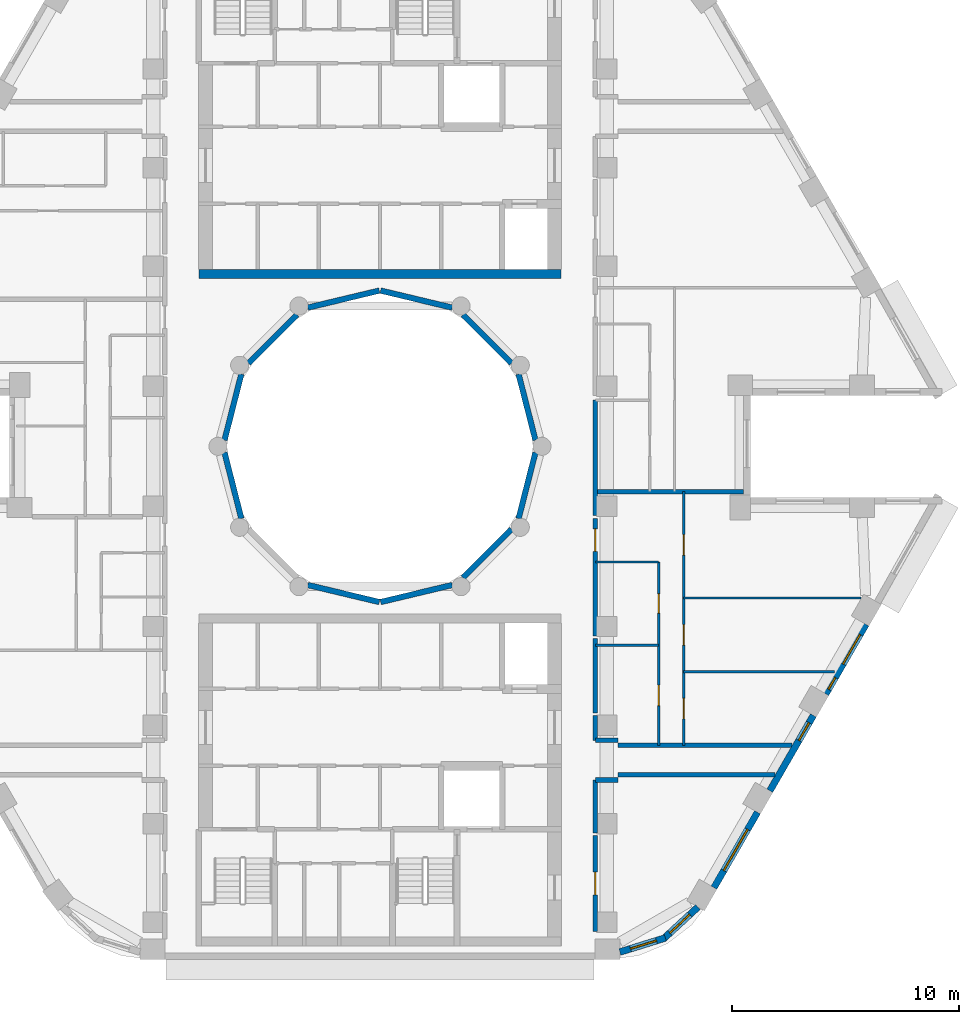
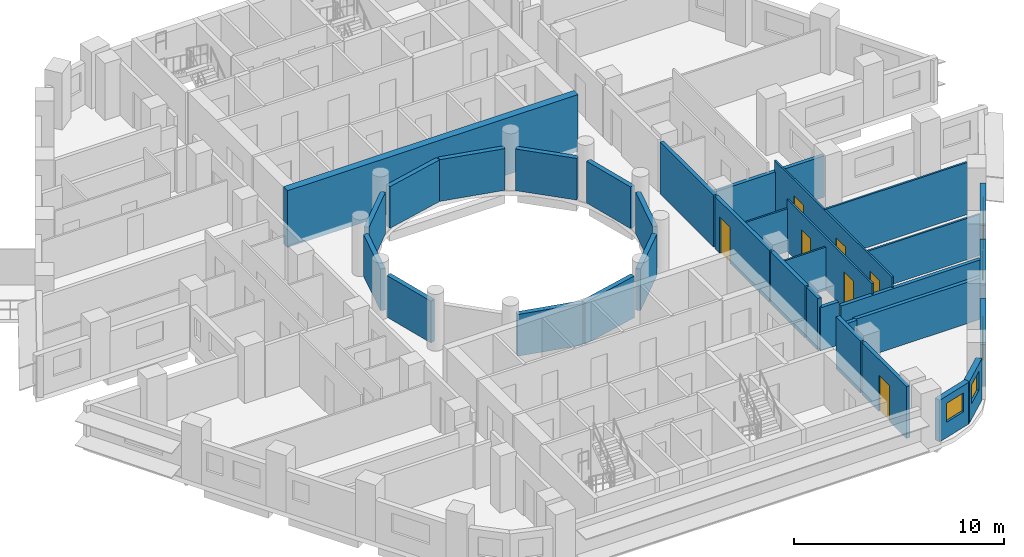
# One storey, part 5 of 13: 34 walls, 7 doors, 6 windows, 13 openings.
"""IFC4 building model written with IfcOpenShell, lengths in metres."""

from ifc_helpers import new_model, si_unit, direction, frame, frame_2d, origin, place, context, subcontext, project, spatial, rectangle, extrude, material, layer, layer_set, type_object, element, fill, save


model = new_model("IFC4")

# Units and contexts
model_context = context("Model", 3, precision=1e-05, world=origin(), true_north=direction((0.0, 1.0)))
body_context = subcontext(model_context, "Body", "Model", "MODEL_VIEW")
ifc_project = project(units=[si_unit("LENGTHUNIT", "METRE"), si_unit("AREAUNIT", "SQUARE_METRE"), si_unit("VOLUMEUNIT", "CUBIC_METRE"), si_unit("PLANEANGLEUNIT", "RADIAN"), si_unit("MASSUNIT", "GRAM", prefix="KILO")], contexts=[model_context])

# Site, building, storey
site_placement = place(None, origin())
site = spatial("IfcSite", under=ifc_project, at=site_placement, CompositionType="ELEMENT")
building_placement = place(site_placement, origin())
building = spatial("IfcBuilding", under=site, at=building_placement, Name="Nakaniwa Court", CompositionType="ELEMENT")
storey_placement = place(building_placement, frame((0.0, 0.0, 239.39990234375)))
storey = spatial("IfcBuildingStorey", under=building, at=storey_placement, Name="L62", CompositionType="ELEMENT", Elevation=239.39990234375)

# Wall, opening, door
ifc_material_1 = material(Name="Acoustic double stud partition")
ifc_layer_1 = layer(ifc_material_1, 0.199951171875)
ifc_layer_set_1 = layer_set([ifc_layer_1], Name="Acoustic double stud partition")
wall_type_1 = type_object("IfcWallType", Name="Acoustic double stud partition 200", PredefinedType="PARTITIONING", material=ifc_layer_set_1)
wall_1_placement = place(storey_placement, frame((89.5, 62.822998046875, 0.0), z_axis=(0.0, 0.0, 1.0), x_axis=(0.0, -1.0, 0.0)))
wall_1 = element("IfcWall", 1, at=wall_1_placement, inside=storey, type_object=wall_type_1, Name="Partition PW-061", PredefinedType="PARTITIONING", context=body_context, shape_type="SweptSolid", body=[
    extrude(rectangle(XDim=4.236083984375, YDim=0.199951171875, at=frame_2d((2.1181640625, 0.0))), origin(), (0.0, 0.0, 1.0), 3.025146484375),
])
opening_1_placement = place(wall_1_placement, frame((1.617919921875, 0.0, 0.0)))
opening_1 = element("IfcOpeningElement", 2, at=opening_1_placement, cuts=wall_1, Name="Opening D-02-01", PredefinedType="OPENING", context=body_context, shape_type="SweptSolid", body=[
    extrude(rectangle(XDim=1.0, YDim=2.10009765625, at=frame_2d((0.5, 1.050048828125))), frame((0.0, 0.10986328125, 0.0), z_axis=(0.0, -1.0, 0.0), x_axis=(1.0, 0.0, 0.0)), (0.0, 0.0, 1.0), 0.219970703125),
])
ifc_material_2 = material(Name="Solid core timber door set, black veneer", Category="wood")
door_type_1 = type_object("IfcDoorType", Name="Internal door 1000", OperationType="NOTDEFINED", PredefinedType="DOOR", material=ifc_material_2)
door_1_placement = place(opening_1_placement, origin())
door_1 = element("IfcDoor", 3, at=door_1_placement, inside=storey, type_object=door_type_1, Name="Door D-02-01 L62-033", OperationType="SINGLE_SWING_RIGHT", OverallHeight=2.10009765625, OverallWidth=1.0, PredefinedType="DOOR", context=body_context, shape_type="SweptSolid", body=[
    extrude(rectangle(XDim=1.0, YDim=2.10009765625, at=frame_2d((0.5, 1.050048828125))), frame((0.0, 0.02490234375, 0.0), z_axis=(0.0, -1.0, 0.0), x_axis=(1.0, 0.0, 0.0)), (0.0, 0.0, 1.0), 0.050048828125),
])
fill(opening_1, door_1)

# Walls
wall_2_placement = place(storey_placement, frame((89.5, 62.93701171875, 0.0), z_axis=(0.0, 0.0, 1.0), x_axis=(0.0, 1.0, 0.0)))
element("IfcWall", 4, at=wall_2_placement, inside=storey, type_object=wall_type_1, Name="Partition PW-062", PredefinedType="PARTITIONING", context=body_context, shape_type="SweptSolid", body=[
    extrude(rectangle(XDim=2.341064453125, YDim=0.199951171875, at=frame_2d((1.17041015625, 0.0))), origin(), (0.0, 0.0, 1.0), 3.025146484375),
])
wall_3_placement = place(storey_placement, frame((89.5, 67.02197265625, 0.0), z_axis=(0.0, 0.0, 1.0), x_axis=(0.0, 1.0, 0.0)))
element("IfcWall", 5, at=wall_3_placement, inside=storey, type_object=wall_type_1, Name="Partition PW-063", PredefinedType="PARTITIONING", context=body_context, shape_type="SweptSolid", body=[
    extrude(rectangle(XDim=1.091064453125, YDim=0.199951171875, at=frame_2d((0.54541015625, 0.0))), origin(), (0.0, 0.0, 1.0), 3.025146484375),
])
wall_4_placement = place(storey_placement, frame((89.5, 68.22705078125, 0.0), z_axis=(0.0, 0.0, 1.0), x_axis=(0.0, 1.0, 0.0)))
element("IfcWall", 6, at=wall_4_placement, inside=storey, type_object=wall_type_1, Name="Partition PW-064", PredefinedType="PARTITIONING", context=body_context, shape_type="SweptSolid", body=[
    extrude(rectangle(XDim=3.2958984375, YDim=0.199951171875, at=frame_2d((1.64794921875, 0.0))), origin(), (0.0, 0.0, 1.0), 3.025146484375),
])

# Wall, opening, door
wall_5_placement = place(storey_placement, frame((89.5, 76.822998046875, 0.0), z_axis=(0.0, 0.0, 1.0), x_axis=(0.0, -1.0, 0.0)))
wall_5 = element("IfcWall", 7, at=wall_5_placement, inside=storey, type_object=wall_type_1, Name="Partition PW-065", PredefinedType="PARTITIONING", context=body_context, shape_type="SweptSolid", body=[
    extrude(rectangle(XDim=5.18603515625, YDim=0.199951171875, at=frame_2d((2.593017578125, 0.0))), origin(), (0.0, 0.0, 1.0), 3.025146484375),
])
opening_2_placement = place(wall_5_placement, frame((0.462890625, 0.0, 0.0)))
opening_2 = element("IfcOpeningElement", 8, at=opening_2_placement, cuts=wall_5, Name="Opening D-01-01", PredefinedType="OPENING", context=body_context, shape_type="SweptSolid", body=[
    extrude(rectangle(XDim=1.0, YDim=2.10009765625, at=frame_2d((0.5, 1.050048828125))), frame((0.0, 0.10986328125, 0.0), z_axis=(0.0, -1.0, 0.0), x_axis=(1.0, 0.0, 0.0)), (0.0, 0.0, 1.0), 0.219970703125),
])
door_type_2 = type_object("IfcDoorType", Name="Flat entrance door 1000", OperationType="NOTDEFINED", PredefinedType="DOOR", material=ifc_material_2)
door_2_placement = place(opening_2_placement, origin())
door_2 = element("IfcDoor", 9, at=door_2_placement, inside=storey, type_object=door_type_2, Name="Door D-01-01 L62-034", OperationType="SINGLE_SWING_LEFT", OverallHeight=2.10009765625, OverallWidth=1.0, PredefinedType="DOOR", context=body_context, shape_type="SweptSolid", body=[
    extrude(rectangle(XDim=1.0, YDim=2.10009765625, at=frame_2d((0.5, 1.050048828125))), frame((0.0, 0.02490234375, 0.0), z_axis=(0.0, -1.0, 0.0), x_axis=(1.0, 0.0, 0.0)), (0.0, 0.0, 1.0), 0.050048828125),
])
fill(opening_2, door_2)

# Walls
wall_6_placement = place(storey_placement, frame((89.5, 76.93701171875, 0.0), z_axis=(0.0, 0.0, 1.0), x_axis=(0.0, 1.0, 0.0)))
element("IfcWall", 10, at=wall_6_placement, inside=storey, type_object=wall_type_1, Name="Partition PW-066", PredefinedType="PARTITIONING", context=body_context, shape_type="SweptSolid", body=[
    extrude(rectangle(XDim=5.102294921875, YDim=0.199951171875, at=frame_2d((2.55126953125, 0.0))), origin(), (0.0, 0.0, 1.0), 3.025146484375),
])
wall_7_placement = place(storey_placement, frame((90.5, 65.5, 0.0), z_axis=(0.0, 0.0, 1.0), x_axis=(1.0, 0.0, 0.0)))
element("IfcWall", 11, at=wall_7_placement, inside=storey, type_object=wall_type_1, Name="Partition PW-082", PredefinedType="PARTITIONING", context=body_context, shape_type="SweptSolid", body=[
    extrude(rectangle(XDim=6.93603515625, YDim=0.199951171875, at=frame_2d((3.468017578125, 0.0))), origin(), (0.0, 0.0, 1.0), 2.405029296875),
])
for number, where, z_axis, x_axis, name in (
    (12, (89.5, 65.27490234375, 0.0), (0.0, 0.0, 1.0), (1.0, 0.0, 0.0), "Partition PW-084"),
    (13, (89.5, 67.02490234375, 0.0), (0.0, 0.0, 1.0), (1.0, 0.0, 0.0), "Partition PW-086"),
):
    element("IfcWall", number, at=place(storey_placement, frame(where, z_axis=z_axis, x_axis=x_axis)), inside=storey, type_object=wall_type_1, Name=name, PredefinedType="PARTITIONING", context=body_context, shape_type="SweptSolid", body=[
        extrude(rectangle(XDim=1.0, YDim=0.199951171875, at=frame_2d((0.5, 0.0))), origin(), (0.0, 0.0, 1.0), 2.505126953125),
    ])
wall_8_placement = place(storey_placement, frame((90.5, 66.800048828125, 0.0), z_axis=(0.0, 0.0, 1.0), x_axis=(1.0, 0.0, 0.0)))
element("IfcWall", 14, at=wall_8_placement, inside=storey, type_object=wall_type_1, Name="Partition PW-088", PredefinedType="PARTITIONING", context=body_context, shape_type="SweptSolid", body=[
    extrude(rectangle(XDim=7.6865234375, YDim=0.199951171875, at=frame_2d((3.84326171875, 0.0))), origin(), (0.0, 0.0, 1.0), 2.405029296875),
])
wall_9_placement = place(storey_placement, frame((89.5, 78.0, 0.0), z_axis=(0.0, 0.0, 1.0), x_axis=(1.0, 0.0, 0.0)))
element("IfcWall", 15, at=wall_9_placement, inside=storey, type_object=wall_type_1, Name="Partition PW-105", PredefinedType="PARTITIONING", context=body_context, shape_type="SweptSolid", body=[
    extrude(rectangle(XDim=6.549560546875, YDim=0.199951171875, at=frame_2d((3.27490234375, 0.0))), origin(), (0.0, 0.0, 1.0), 2.405029296875),
])

# Wall, opening, window
ifc_material_3 = material(Name="Charcoal ceramic cladding")
ifc_layer_2 = layer(ifc_material_3, 0.02, Name="Ceramic cladding")
ifc_material_4 = material(Name="Ventilated air cavity")
ifc_layer_3 = layer(ifc_material_4, 0.04, ventilated=True, Name="Ventilated cavity")
ifc_material_5 = material(Name="Mineral wool insulation")
ifc_layer_4 = layer(ifc_material_5, 0.1, Name="Insulation")
ifc_material_6 = material(Name="Cement bonded sheathing board")
ifc_layer_5 = layer(ifc_material_6, 0.012, Name="Sheathing")
ifc_material_7 = material(Name="Cold-formed galvanised stud frame with mineral wool infill")
ifc_layer_6 = layer(ifc_material_7, 0.1, Name="Stud frame")
ifc_material_8 = material(Name="Fire-rated gypsum plasterboard lining")
ifc_layer_7 = layer(ifc_material_8, 0.028, Name="Lining")
ifc_layer_set_2 = layer_set([ifc_layer_2, ifc_layer_3, ifc_layer_4, ifc_layer_5, ifc_layer_6, ifc_layer_7], Name="Charcoal ceramic faced external wall system")
wall_type_2 = type_object("IfcWallType", Name="Black ceramic faced external wall 300", PredefinedType="SOLIDWALL", material=ifc_layer_set_2)
wall_10_placement = place(storey_placement, frame((90.585693359375, 57.68408203125, 0.0), z_axis=(0.0, 0.0, 1.0), x_axis=(0.954941641926, 0.296793632875, 0.0)))
wall_10 = element("IfcWall", 16, at=wall_10_placement, inside=storey, type_object=wall_type_2, Name="L62 external wall 27", PredefinedType="SOLIDWALL", context=body_context, shape_type="SweptSolid", body=[
    extrude(rectangle(XDim=2.1025390625, YDim=0.300048828125, at=frame_2d((1.05126953125, 0.0))), origin(), (0.0, 0.0, 1.0), 2.425048828125),
])
opening_3_placement = place(wall_10_placement, frame((0.490234375, 0.0, 0.89990234375)))
opening_3 = element("IfcOpeningElement", 17, at=opening_3_placement, cuts=wall_10, Name="Opening W6.26", PredefinedType="OPENING", context=body_context, shape_type="SweptSolid", body=[
    extrude(rectangle(XDim=1.199951171875, YDim=1.10009765625, at=frame_2d((0.60009765625, 0.550048828125))), frame((0.0, 0.159912109375, 0.0), z_axis=(0.0, -1.0, 0.0), x_axis=(1.0, 0.0, 0.0)), (0.0, 0.0, 1.0), 0.320068359375),
])
ifc_material_9 = material(Name="Black anodised aluminium frame with dark low-E laminated double glazing", Category="aluminium")
window_type_1 = type_object("IfcWindowType", Name="Dark glass window 1200x1100 sill 900", PartitioningType="SINGLE_PANEL", PredefinedType="WINDOW", material=ifc_material_9)
window_1_placement = place(opening_3_placement, origin())
window_1 = element("IfcWindow", 18, at=window_1_placement, inside=storey, type_object=window_type_1, Name="L62 habitable room window 27-0", OverallHeight=1.10009765625, OverallWidth=1.199951171875, PartitioningType="SINGLE_PANEL", PredefinedType="WINDOW", context=body_context, shape_type="SweptSolid", body=[
    extrude(rectangle(XDim=1.199951171875, YDim=1.10009765625, at=frame_2d((0.60009765625, 0.550048828125))), frame((0.0, 0.030029296875, 0.0), z_axis=(0.0, -1.0, 0.0), x_axis=(1.0, 0.0, 0.0)), (0.0, 0.0, 1.0), 0.06005859375),
])
fill(opening_3, window_1)

wall_11_placement = place(storey_placement, frame((92.489501953125, 58.247314453125, 0.0), z_axis=(0.0, 0.0, 1.0), x_axis=(0.734830223907, 0.678251090698, 0.0)))
wall_11 = element("IfcWall", 19, at=wall_11_placement, inside=storey, type_object=wall_type_2, Name="L62 external wall 28", PredefinedType="SOLIDWALL", context=body_context, shape_type="SweptSolid", body=[
    extrude(rectangle(XDim=2.09716796875, YDim=0.300048828125, at=frame_2d((1.048583984375, 0.0))), origin(), (0.0, 0.0, 1.0), 2.425048828125),
])
opening_4_placement = place(wall_11_placement, frame((0.409423828125, 0.0, 0.89990234375)))
opening_4 = element("IfcOpeningElement", 20, at=opening_4_placement, cuts=wall_11, Name="Opening W6.27", PredefinedType="OPENING", context=body_context, shape_type="SweptSolid", body=[
    extrude(rectangle(XDim=1.199951171875, YDim=1.10009765625, at=frame_2d((0.60009765625, 0.550048828125))), frame((0.0, 0.159912109375, 0.0), z_axis=(0.0, -1.0, 0.0), x_axis=(1.0, 0.0, 0.0)), (0.0, 0.0, 1.0), 0.320068359375),
])
window_2_placement = place(opening_4_placement, origin())
window_2 = element("IfcWindow", 21, at=window_2_placement, inside=storey, type_object=window_type_1, Name="L62 habitable room window 28-0", OverallHeight=1.10009765625, OverallWidth=1.199951171875, PartitioningType="SINGLE_PANEL", PredefinedType="WINDOW", context=body_context, shape_type="SweptSolid", body=[
    extrude(rectangle(XDim=1.199951171875, YDim=1.10009765625, at=frame_2d((0.60009765625, 0.550048828125))), frame((0.0, 0.030029296875, 0.0), z_axis=(0.0, -1.0, 0.0), x_axis=(1.0, 0.0, 0.0)), (0.0, 0.0, 1.0), 0.06005859375),
])
fill(opening_4, window_2)

wall_12_placement = place(storey_placement, frame((94.73583984375, 60.523193359375, 0.0), z_axis=(0.0, 0.0, 1.0), x_axis=(0.499984490703, 0.866034357896, 0.0)))
wall_12 = element("IfcWall", 22, at=wall_12_placement, inside=storey, type_object=wall_type_2, Name="L62 external wall 29", PredefinedType="SOLIDWALL", context=body_context, shape_type="SweptSolid", body=[
    extrude(rectangle(XDim=3.84423828125, YDim=0.300048828125, at=frame_2d((1.922119140625, 0.0))), origin(), (0.0, 0.0, 1.0), 2.425048828125),
])
opening_5_placement = place(wall_12_placement, frame((0.8720703125, 0.0, 0.89990234375)))
opening_5 = element("IfcOpeningElement", 23, at=opening_5_placement, cuts=wall_12, Name="Opening W7.28", PredefinedType="OPENING", context=body_context, shape_type="SweptSolid", body=[
    extrude(rectangle(XDim=2.10009765625, YDim=1.10009765625, at=frame_2d((1.050048828125, 0.550048828125))), frame((0.0, 0.159912109375, 0.0), z_axis=(0.0, -1.0, 0.0), x_axis=(1.0, 0.0, 0.0)), (0.0, 0.0, 1.0), 0.320068359375),
])
window_type_2 = type_object("IfcWindowType", Name="Dark glass window 2100x1100 sill 900", PartitioningType="SINGLE_PANEL", PredefinedType="WINDOW", material=ifc_material_9)
window_3_placement = place(opening_5_placement, origin())
window_3 = element("IfcWindow", 24, at=window_3_placement, inside=storey, type_object=window_type_2, Name="L62 habitable room window 29-0", OverallHeight=1.10009765625, OverallWidth=2.10009765625, PartitioningType="SINGLE_PANEL", PredefinedType="WINDOW", context=body_context, shape_type="SweptSolid", body=[
    extrude(rectangle(XDim=2.10009765625, YDim=1.10009765625, at=frame_2d((1.050048828125, 0.550048828125))), frame((0.0, 0.030029296875, 0.0), z_axis=(0.0, -1.0, 0.0), x_axis=(1.0, 0.0, 0.0)), (0.0, 0.0, 1.0), 0.06005859375),
])
fill(opening_5, window_3)

wall_13_placement = place(storey_placement, frame((97.2041015625, 64.798095703125, 0.0), z_axis=(0.0, 0.0, 1.0), x_axis=(0.499984490703, 0.866034357896, 0.0)))
wall_13 = element("IfcWall", 25, at=wall_13_placement, inside=storey, type_object=wall_type_2, Name="L62 external wall 30", PredefinedType="SOLIDWALL", context=body_context, shape_type="SweptSolid", body=[
    extrude(rectangle(XDim=3.84423828125, YDim=0.300048828125, at=frame_2d((1.922119140625, 0.0))), origin(), (0.0, 0.0, 1.0), 2.425048828125),
])
opening_6_placement = place(wall_13_placement, frame((2.56689453125, 0.0, 0.89990234375)))
opening_6 = element("IfcOpeningElement", 26, at=opening_6_placement, cuts=wall_13, Name="Opening W9.29", PredefinedType="OPENING", context=body_context, shape_type="SweptSolid", body=[
    extrude(rectangle(XDim=0.89990234375, YDim=1.10009765625, at=frame_2d((0.449951171875, 0.550048828125))), frame((0.0, 0.159912109375, 0.0), z_axis=(0.0, -1.0, 0.0), x_axis=(1.0, 0.0, 0.0)), (0.0, 0.0, 1.0), 0.320068359375),
])
window_type_3 = type_object("IfcWindowType", Name="Dark glass window 900x1100 sill 900", PartitioningType="SINGLE_PANEL", PredefinedType="WINDOW", material=ifc_material_9)
window_4_placement = place(opening_6_placement, origin())
window_4 = element("IfcWindow", 27, at=window_4_placement, inside=storey, type_object=window_type_3, Name="L62 bedroom window 30-2", OverallHeight=1.10009765625, OverallWidth=0.89990234375, PartitioningType="SINGLE_PANEL", PredefinedType="WINDOW", context=body_context, shape_type="SweptSolid", body=[
    extrude(rectangle(XDim=0.89990234375, YDim=1.10009765625, at=frame_2d((0.449951171875, 0.550048828125))), frame((0.0, 0.030029296875, 0.0), z_axis=(0.0, -1.0, 0.0), x_axis=(1.0, 0.0, 0.0)), (0.0, 0.0, 1.0), 0.06005859375),
])
fill(opening_6, window_4)

# Wall, openings, windows
wall_14_placement = place(storey_placement, frame((99.672119140625, 69.072998046875, 0.0), z_axis=(0.0, 0.0, 1.0), x_axis=(0.500010404316, 0.866019396766, 0.0)))
wall_14 = element("IfcWall", 28, at=wall_14_placement, inside=storey, type_object=wall_type_2, Name="L62 external wall 31", PredefinedType="SOLIDWALL", context=body_context, shape_type="SweptSolid", body=[
    extrude(rectangle(XDim=3.54736328125, YDim=0.300048828125, at=frame_2d((1.773681640625, 0.0))), origin(), (0.0, 0.0, 1.0), 2.425048828125),
])
opening_7_placement = place(wall_14_placement, frame((0.240966796875, 0.0, 0.89990234375)))
opening_7 = element("IfcOpeningElement", 29, at=opening_7_placement, cuts=wall_14, Name="Opening W8.30", PredefinedType="OPENING", context=body_context, shape_type="SweptSolid", body=[
    extrude(rectangle(XDim=0.60009765625, YDim=1.10009765625, at=frame_2d((0.300048828125, 0.550048828125))), frame((0.0, 0.159912109375, 0.0), z_axis=(0.0, -1.0, 0.0), x_axis=(1.0, 0.0, 0.0)), (0.0, 0.0, 1.0), 0.320068359375),
])
opening_8_placement = place(wall_14_placement, frame((1.52734375, 0.0, 0.89990234375)))
opening_8 = element("IfcOpeningElement", 30, at=opening_8_placement, cuts=wall_14, Name="Opening W5.31", PredefinedType="OPENING", context=body_context, shape_type="SweptSolid", body=[
    extrude(rectangle(XDim=1.5, YDim=1.10009765625, at=frame_2d((0.75, 0.550048828125))), frame((0.0, 0.159912109375, 0.0), z_axis=(0.0, -1.0, 0.0), x_axis=(1.0, 0.0, 0.0)), (0.0, 0.0, 1.0), 0.320068359375),
])
window_type_4 = type_object("IfcWindowType", Name="Dark glass window 1500x1100 sill 900", PartitioningType="SINGLE_PANEL", PredefinedType="WINDOW", material=ifc_material_9)
window_5_placement = place(opening_8_placement, origin())
window_5 = element("IfcWindow", 31, at=window_5_placement, inside=storey, type_object=window_type_4, Name="L62 bedroom window 31-1", OverallHeight=1.10009765625, OverallWidth=1.5, PartitioningType="SINGLE_PANEL", PredefinedType="WINDOW", context=body_context, shape_type="SweptSolid", body=[
    extrude(rectangle(XDim=1.5, YDim=1.10009765625, at=frame_2d((0.75, 0.550048828125))), frame((0.0, 0.030029296875, 0.0), z_axis=(0.0, -1.0, 0.0), x_axis=(1.0, 0.0, 0.0)), (0.0, 0.0, 1.0), 0.06005859375),
])
fill(opening_8, window_5)
window_type_5 = type_object("IfcWindowType", Name="Dark glass window 600x1100 sill 900", PartitioningType="SINGLE_PANEL", PredefinedType="WINDOW", material=ifc_material_9)
window_6_placement = place(opening_7_placement, origin())
window_6 = element("IfcWindow", 32, at=window_6_placement, inside=storey, type_object=window_type_5, Name="L62 bedroom window 31-0", OverallHeight=1.10009765625, OverallWidth=0.60009765625, PartitioningType="SINGLE_PANEL", PredefinedType="WINDOW", context=body_context, shape_type="SweptSolid", body=[
    extrude(rectangle(XDim=0.60009765625, YDim=1.10009765625, at=frame_2d((0.300048828125, 0.550048828125))), frame((0.0, 0.030029296875, 0.0), z_axis=(0.0, -1.0, 0.0), x_axis=(1.0, 0.0, 0.0)), (0.0, 0.0, 1.0), 0.06005859375),
])
fill(opening_7, window_6)

# Walls
ifc_layer_8 = layer(ifc_material_3, 0.02, Name="Ceramic cladding")
ifc_layer_9 = layer(ifc_material_4, 0.04, ventilated=True, Name="Ventilated cavity")
ifc_layer_10 = layer(ifc_material_5, 0.075, Name="Insulation")
ifc_layer_11 = layer(ifc_material_6, 0.012, Name="Sheathing")
ifc_layer_12 = layer(ifc_material_7, 0.075, Name="Stud frame")
ifc_layer_13 = layer(ifc_material_8, 0.028, Name="Lining")
ifc_layer_set_3 = layer_set([ifc_layer_8, ifc_layer_9, ifc_layer_10, ifc_layer_11, ifc_layer_12, ifc_layer_13], Name="Charcoal ceramic faced external wall system")
wall_type_3 = type_object("IfcWallType", Name="Charcoal ceramic faced well wall 250", PredefinedType="SOLIDWALL", material=ifc_layer_set_3)
wall_15_placement = place(storey_placement, frame((86.8603515625, 79.72998046875, 0.0), z_axis=(0.0, 0.0, 1.0), x_axis=(-0.247055971283, -0.969001211069, 0.0)))
element("IfcWall", 33, at=wall_15_placement, inside=storey, type_object=wall_type_3, Name="L62 external wall 36", PredefinedType="SOLIDWALL", context=body_context, shape_type="SweptSolid", body=[
    extrude(rectangle(XDim=3.010009765625, YDim=0.25, at=frame_2d((1.5048828125, 0.0))), origin(), (0.0, 0.0, 1.0), 2.425048828125),
])
wall_16_placement = place(storey_placement, frame((85.8056640625, 76.339111328125, 0.0), z_axis=(0.0, 0.0, 1.0), x_axis=(-0.707106781187, -0.707106781187, 0.0)))
element("IfcWall", 34, at=wall_16_placement, inside=storey, type_object=wall_type_3, Name="L62 external wall 37", PredefinedType="SOLIDWALL", context=body_context, shape_type="SweptSolid", body=[
    extrude(rectangle(XDim=3.033203125, YDim=0.25, at=frame_2d((1.5166015625, 0.0))), origin(), (0.0, 0.0, 1.0), 2.425048828125),
])
for number, where, z_axis, x_axis, name in (
    (35, (83.186279296875, 73.880615234375, 0.0), (0.0, 0.0, 1.0), (-0.972773113459, -0.231759508395, 0.0), "L62 external wall 38"),
    (36, (79.970947265625, 73.12841796875, 0.0), (0.0, 0.0, 1.0), (-0.972773113459, 0.231759508395, 0.0), "L62 external wall 39"),
):
    element("IfcWall", number, at=place(storey_placement, frame(where, z_axis=z_axis, x_axis=x_axis)), inside=storey, type_object=wall_type_3, Name=name, PredefinedType="SOLIDWALL", context=body_context, shape_type="SweptSolid", body=[
        extrude(rectangle(XDim=3.24560546875, YDim=0.25, at=frame_2d((1.622802734375, 0.0))), origin(), (0.0, 0.0, 1.0), 2.425048828125),
    ])
for number, where, z_axis, x_axis, name in (
    (37, (73.88330078125, 76.813232421875, 0.0), (0.0, 0.0, 1.0), (-0.247055971283, 0.969001211069, 0.0), "L62 external wall 41"),
    (38, (73.1396484375, 80.27001953125, 0.0), (0.0, 0.0, 1.0), (0.247055971283, 0.969001211069, 0.0), "L62 external wall 42"),
):
    element("IfcWall", number, at=place(storey_placement, frame(where, z_axis=z_axis, x_axis=x_axis)), inside=storey, type_object=wall_type_3, Name=name, PredefinedType="SOLIDWALL", context=body_context, shape_type="SweptSolid", body=[
        extrude(rectangle(XDim=3.010009765625, YDim=0.25, at=frame_2d((1.5048828125, 0.0))), origin(), (0.0, 0.0, 1.0), 2.425048828125),
    ])
wall_17_placement = place(storey_placement, frame((74.1943359375, 83.660888671875, 0.0), z_axis=(0.0, 0.0, 1.0), x_axis=(0.707106781187, 0.707106781187, 0.0)))
element("IfcWall", 39, at=wall_17_placement, inside=storey, type_object=wall_type_3, Name="L62 external wall 43", PredefinedType="SOLIDWALL", context=body_context, shape_type="SweptSolid", body=[
    extrude(rectangle(XDim=3.033203125, YDim=0.25, at=frame_2d((1.5166015625, 0.0))), origin(), (0.0, 0.0, 1.0), 2.425048828125),
])
for number, where, z_axis, x_axis, name in (
    (40, (76.813720703125, 86.119384765625, 0.0), (0.0, 0.0, 1.0), (0.972773113459, 0.231759508395, 0.0), "L62 external wall 44"),
    (41, (80.029052734375, 86.87158203125, 0.0), (0.0, 0.0, 1.0), (0.972773113459, -0.231759508395, 0.0), "L62 external wall 45"),
):
    element("IfcWall", number, at=place(storey_placement, frame(where, z_axis=z_axis, x_axis=x_axis)), inside=storey, type_object=wall_type_3, Name=name, PredefinedType="SOLIDWALL", context=body_context, shape_type="SweptSolid", body=[
        extrude(rectangle(XDim=3.24560546875, YDim=0.25, at=frame_2d((1.622802734375, 0.0))), origin(), (0.0, 0.0, 1.0), 2.425048828125),
    ])
wall_18_placement = place(storey_placement, frame((83.660888671875, 85.8056640625, 0.0), z_axis=(0.0, 0.0, 1.0), x_axis=(0.707106781187, -0.707106781187, 0.0)))
element("IfcWall", 42, at=wall_18_placement, inside=storey, type_object=wall_type_3, Name="L62 external wall 46", PredefinedType="SOLIDWALL", context=body_context, shape_type="SweptSolid", body=[
    extrude(rectangle(XDim=3.033203125, YDim=0.25, at=frame_2d((1.5166015625, 0.0))), origin(), (0.0, 0.0, 1.0), 2.425048828125),
])
wall_19_placement = place(storey_placement, frame((86.11669921875, 83.186767578125, 0.0), z_axis=(0.0, 0.0, 1.0), x_axis=(0.247055971283, -0.969001211069, 0.0)))
element("IfcWall", 43, at=wall_19_placement, inside=storey, type_object=wall_type_3, Name="L62 external wall 47", PredefinedType="SOLIDWALL", context=body_context, shape_type="SweptSolid", body=[
    extrude(rectangle(XDim=3.010009765625, YDim=0.25, at=frame_2d((1.5048828125, 0.0))), origin(), (0.0, 0.0, 1.0), 2.425048828125),
])
ifc_material_10 = material(Name="Concrete C80/100", Category="concrete")
ifc_layer_14 = layer(ifc_material_10, 0.39990234375)
ifc_layer_set_4 = layer_set([ifc_layer_14], Name="Concrete C80/100")
wall_type_4 = type_object("IfcWallType", Name="Concrete core well wall 400 C80", PredefinedType="SHEAR", material=ifc_layer_set_4)
wall_20_placement = place(storey_placement, frame((72.00390625, 87.60009765625, -0.27490234375), z_axis=(0.0, 0.0, 1.0), x_axis=(1.0, 0.0, 0.0)))
element("IfcWall", 44, at=wall_20_placement, inside=storey, type_object=wall_type_4, Name="Core wall SW-130", PredefinedType="SHEAR", context=body_context, shape_type="SweptSolid", body=[
    extrude(rectangle(XDim=15.9921875, YDim=0.39990234375, at=frame_2d((7.99609375, 0.0))), origin(), (0.0, 0.0, 1.0), 3.300048828125),
])
ifc_material_11 = material(Name="Single stud plasterboard partition")
ifc_layer_15 = layer(ifc_material_11, 0.10009765625)
ifc_layer_set_5 = layer_set([ifc_layer_15], Name="Single stud plasterboard partition")
wall_type_5 = type_object("IfcWallType", Name="Single stud plasterboard partition 100", PredefinedType="PARTITIONING", material=ifc_layer_set_5)
wall_21_placement = place(storey_placement, frame((89.5, 71.218017578125, 0.0), z_axis=(0.0, 0.0, 1.0), x_axis=(1.0, 0.0, 0.0)))
element("IfcWall", 45, at=wall_21_placement, inside=storey, type_object=wall_type_5, Name="Partition PW-101", PredefinedType="PARTITIONING", context=body_context, shape_type="SweptSolid", body=[
    extrude(rectangle(XDim=2.800048828125, YDim=0.10009765625, at=frame_2d((1.39990234375, 0.0))), origin(), (0.0, 0.0, 1.0), 2.505126953125),
])

# Wall, openings, doors
wall_22_placement = place(storey_placement, frame((92.300048828125, 66.800048828125, 0.0), z_axis=(0.0, 0.0, 1.0), x_axis=(0.0, 1.0, 0.0)))
wall_22 = element("IfcWall", 46, at=wall_22_placement, inside=storey, type_object=wall_type_5, Name="Partition PW-102", PredefinedType="PARTITIONING", context=body_context, shape_type="SweptSolid", body=[
    extrude(rectangle(XDim=8.099853515625, YDim=0.10009765625, at=frame_2d((4.0498046875, 0.0))), origin(), (0.0, 0.0, 1.0), 3.025146484375),
])
opening_9_placement = place(wall_22_placement, frame((1.759033203125, 0.0, 0.0)))
opening_9 = element("IfcOpeningElement", 47, at=opening_9_placement, cuts=wall_22, Name="Opening D-33-01", PredefinedType="OPENING", context=body_context, shape_type="SweptSolid", body=[
    extrude(rectangle(XDim=0.89990234375, YDim=2.10009765625, at=frame_2d((0.449951171875, 1.050048828125))), frame((0.0, 0.06005859375, 0.0), z_axis=(0.0, -1.0, 0.0), x_axis=(1.0, 0.0, 0.0)), (0.0, 0.0, 1.0), 0.1201171875),
])
opening_10_placement = place(wall_22_placement, frame((5.833984375, 0.0, 0.0)))
opening_10 = element("IfcOpeningElement", 48, at=opening_10_placement, cuts=wall_22, Name="Opening D-03-01", PredefinedType="OPENING", context=body_context, shape_type="SweptSolid", body=[
    extrude(rectangle(XDim=0.85009765625, YDim=2.10009765625, at=frame_2d((0.425048828125, 1.050048828125))), frame((0.0, 0.06005859375, 0.0), z_axis=(0.0, -1.0, 0.0), x_axis=(1.0, 0.0, 0.0)), (0.0, 0.0, 1.0), 0.1201171875),
])
ifc_material_12 = material(Name="Moisture sealed timber door set", Category="wood")
door_type_3 = type_object("IfcDoorType", Name="Bathroom door 850", OperationType="NOTDEFINED", PredefinedType="DOOR", material=ifc_material_12)
door_3_placement = place(opening_10_placement, origin())
door_3 = element("IfcDoor", 49, at=door_3_placement, inside=storey, type_object=door_type_3, Name="Door D-03-01 L62-036", OperationType="SINGLE_SWING_LEFT", OverallHeight=2.10009765625, OverallWidth=0.85009765625, PredefinedType="DOOR", context=body_context, shape_type="SweptSolid", body=[
    extrude(rectangle(XDim=0.85009765625, YDim=2.10009765625, at=frame_2d((0.425048828125, 1.050048828125))), frame((0.0, 0.02490234375, 0.0), z_axis=(0.0, -1.0, 0.0), x_axis=(1.0, 0.0, 0.0)), (0.0, 0.0, 1.0), 0.050048828125),
])
fill(opening_10, door_3)
door_type_4 = type_object("IfcDoorType", Name="Internal door 900", OperationType="NOTDEFINED", PredefinedType="DOOR", material=ifc_material_2)
door_4_placement = place(opening_9_placement, origin())
door_4 = element("IfcDoor", 50, at=door_4_placement, inside=storey, type_object=door_type_4, Name="Door D-33-01 L62-035", OperationType="SINGLE_SWING_RIGHT", OverallHeight=2.10009765625, OverallWidth=0.89990234375, PredefinedType="DOOR", context=body_context, shape_type="SweptSolid", body=[
    extrude(rectangle(XDim=0.89990234375, YDim=2.10009765625, at=frame_2d((0.449951171875, 1.050048828125))), frame((0.0, 0.02490234375, 0.0), z_axis=(0.0, -1.0, 0.0), x_axis=(1.0, 0.0, 0.0)), (0.0, 0.0, 1.0), 0.050048828125),
])
fill(opening_9, door_4)

# Wall
wall_23_placement = place(storey_placement, frame((89.5, 74.89990234375, 0.0), z_axis=(0.0, 0.0, 1.0), x_axis=(1.0, 0.0, 0.0)))
element("IfcWall", 51, at=wall_23_placement, inside=storey, type_object=wall_type_5, Name="Partition PW-103", PredefinedType="PARTITIONING", context=body_context, shape_type="SweptSolid", body=[
    extrude(rectangle(XDim=2.800048828125, YDim=0.10009765625, at=frame_2d((1.39990234375, 0.0))), origin(), (0.0, 0.0, 1.0), 2.505126953125),
])

# Wall, openings, doors
wall_24_placement = place(storey_placement, frame((93.39990234375, 78.0, 0.0), z_axis=(0.0, 0.0, 1.0), x_axis=(0.0, -1.0, 0.0)))
wall_24 = element("IfcWall", 52, at=wall_24_placement, inside=storey, type_object=wall_type_5, Name="Partition PW-104", PredefinedType="PARTITIONING", context=body_context, shape_type="SweptSolid", body=[
    extrude(rectangle(XDim=11.199951171875, YDim=0.10009765625, at=frame_2d((5.60009765625, 0.0))), origin(), (0.0, 0.0, 1.0), 3.025146484375),
])
opening_11_placement = place(wall_24_placement, frame((9.1240234375, 0.0, 0.0)))
opening_11 = element("IfcOpeningElement", 53, at=opening_11_placement, cuts=wall_24, Name="Opening D-33-02", PredefinedType="OPENING", context=body_context, shape_type="SweptSolid", body=[
    extrude(rectangle(XDim=0.89990234375, YDim=2.10009765625, at=frame_2d((0.449951171875, 1.050048828125))), frame((0.0, 0.06005859375, 0.0), z_axis=(0.0, -1.0, 0.0), x_axis=(1.0, 0.0, 0.0)), (0.0, 0.0, 1.0), 0.1201171875),
])
opening_12_placement = place(wall_24_placement, frame((5.873046875, 0.0, 0.0)))
opening_12 = element("IfcOpeningElement", 54, at=opening_12_placement, cuts=wall_24, Name="Opening D-33-03", PredefinedType="OPENING", context=body_context, shape_type="SweptSolid", body=[
    extrude(rectangle(XDim=0.89990234375, YDim=2.10009765625, at=frame_2d((0.449951171875, 1.050048828125))), frame((0.0, 0.06005859375, 0.0), z_axis=(0.0, -1.0, 0.0), x_axis=(1.0, 0.0, 0.0)), (0.0, 0.0, 1.0), 0.1201171875),
])
opening_13_placement = place(wall_24_placement, frame((1.89794921875, 0.0, 0.0)))
opening_13 = element("IfcOpeningElement", 55, at=opening_13_placement, cuts=wall_24, Name="Opening D-33-04", PredefinedType="OPENING", context=body_context, shape_type="SweptSolid", body=[
    extrude(rectangle(XDim=0.89990234375, YDim=2.10009765625, at=frame_2d((0.449951171875, 1.050048828125))), frame((0.0, 0.06005859375, 0.0), z_axis=(0.0, -1.0, 0.0), x_axis=(1.0, 0.0, 0.0)), (0.0, 0.0, 1.0), 0.1201171875),
])
door_5_placement = place(opening_11_placement, origin())
door_5 = element("IfcDoor", 56, at=door_5_placement, inside=storey, type_object=door_type_4, Name="Door D-33-02 L62-037", OperationType="SINGLE_SWING_RIGHT", OverallHeight=2.10009765625, OverallWidth=0.89990234375, PredefinedType="DOOR", context=body_context, shape_type="SweptSolid", body=[
    extrude(rectangle(XDim=0.89990234375, YDim=2.10009765625, at=frame_2d((0.449951171875, 1.050048828125))), frame((0.0, 0.02490234375, 0.0), z_axis=(0.0, -1.0, 0.0), x_axis=(1.0, 0.0, 0.0)), (0.0, 0.0, 1.0), 0.050048828125),
])
fill(opening_11, door_5)
door_6_placement = place(opening_12_placement, origin())
door_6 = element("IfcDoor", 57, at=door_6_placement, inside=storey, type_object=door_type_4, Name="Door D-33-03 L62-038", OperationType="SINGLE_SWING_LEFT", OverallHeight=2.10009765625, OverallWidth=0.89990234375, PredefinedType="DOOR", context=body_context, shape_type="SweptSolid", body=[
    extrude(rectangle(XDim=0.89990234375, YDim=2.10009765625, at=frame_2d((0.449951171875, 1.050048828125))), frame((0.0, 0.02490234375, 0.0), z_axis=(0.0, -1.0, 0.0), x_axis=(1.0, 0.0, 0.0)), (0.0, 0.0, 1.0), 0.050048828125),
])
fill(opening_12, door_6)
door_7_placement = place(opening_13_placement, origin())
door_7 = element("IfcDoor", 58, at=door_7_placement, inside=storey, type_object=door_type_4, Name="Door D-33-04 L62-039", OperationType="SINGLE_SWING_RIGHT", OverallHeight=2.10009765625, OverallWidth=0.89990234375, PredefinedType="DOOR", context=body_context, shape_type="SweptSolid", body=[
    extrude(rectangle(XDim=0.89990234375, YDim=2.10009765625, at=frame_2d((0.449951171875, 1.050048828125))), frame((0.0, 0.02490234375, 0.0), z_axis=(0.0, -1.0, 0.0), x_axis=(1.0, 0.0, 0.0)), (0.0, 0.0, 1.0), 0.050048828125),
])
fill(opening_13, door_7)

# Walls
wall_25_placement = place(storey_placement, frame((93.39990234375, 70.052001953125, 0.0), z_axis=(0.0, 0.0, 1.0), x_axis=(1.0, 0.0, 0.0)))
element("IfcWall", 59, at=wall_25_placement, inside=storey, type_object=wall_type_5, Name="Partition PW-106", PredefinedType="PARTITIONING", context=body_context, shape_type="SweptSolid", body=[
    extrude(rectangle(XDim=6.6640625, YDim=0.10009765625, at=frame_2d((3.33203125, 0.0))), origin(), (0.0, 0.0, 1.0), 2.405029296875),
])
wall_26_placement = place(storey_placement, frame((93.39990234375, 73.302978515625, 0.0), z_axis=(0.0, 0.0, 1.0), x_axis=(1.0, 0.0, 0.0)))
element("IfcWall", 60, at=wall_26_placement, inside=storey, type_object=wall_type_5, Name="Partition PW-107", PredefinedType="PARTITIONING", context=body_context, shape_type="SweptSolid", body=[
    extrude(rectangle(XDim=7.825439453125, YDim=0.10009765625, at=frame_2d((3.91259765625, 0.0))), origin(), (0.0, 0.0, 1.0), 3.025146484375),
])

save(model, "model.ifc")
